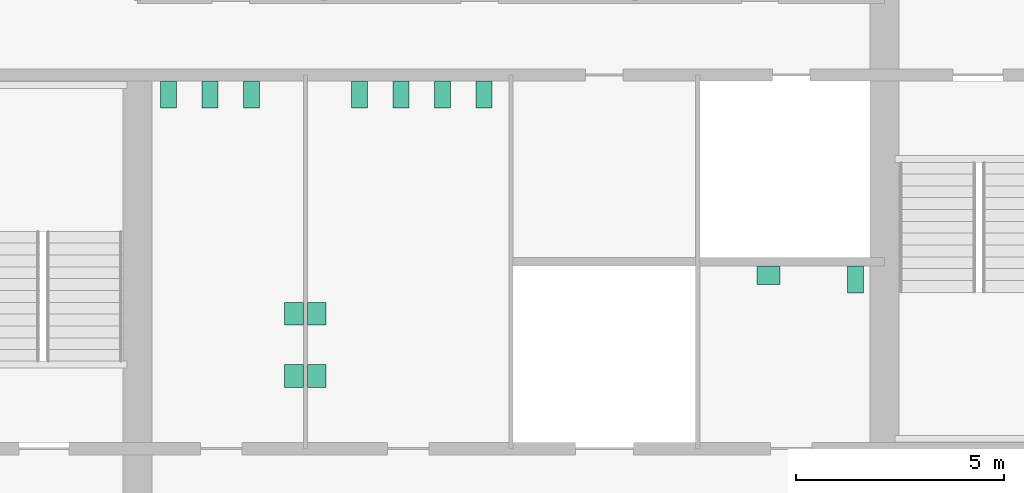
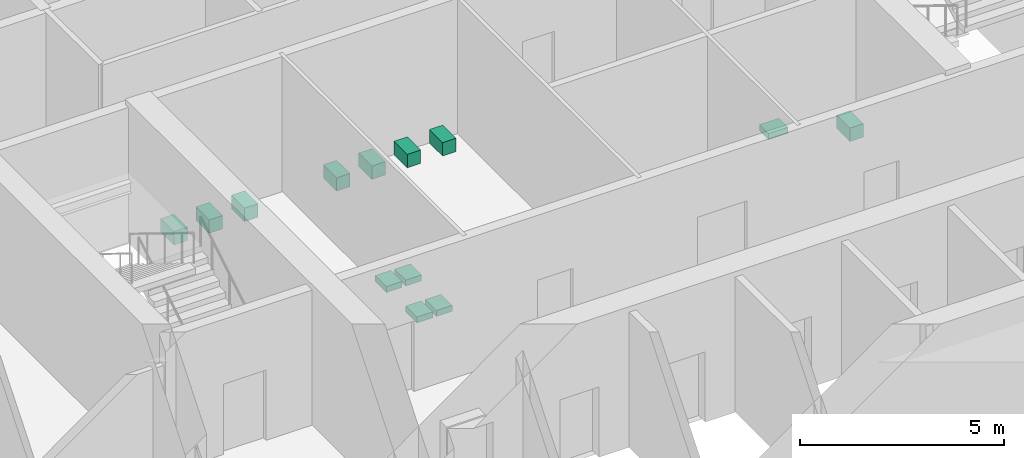
# One storey, part 12 of 12: 13 sanitary terminals.
"""IFC4 building model written with IfcOpenShell, lengths in metres."""

from ifc_helpers import new_model, si_unit, direction, frame, origin, origin_2d, place, context, subcontext, project, spatial, rectangle, extrude, material, type_object, element, save


model = new_model("IFC4")

# Units and contexts
model_context = context("Model", 3, precision=1e-05, world=origin(), true_north=direction((0.0, 1.0)))
body_context = subcontext(model_context, "Body", "Model", "MODEL_VIEW")
ifc_project = project(units=[si_unit("LENGTHUNIT", "METRE"), si_unit("AREAUNIT", "SQUARE_METRE"), si_unit("VOLUMEUNIT", "CUBIC_METRE"), si_unit("PLANEANGLEUNIT", "RADIAN"), si_unit("MASSUNIT", "GRAM", prefix="KILO")], contexts=[model_context])

# Site, building, storey
site_placement = place(None, origin())
site = spatial("IfcSite", under=ifc_project, at=site_placement, CompositionType="ELEMENT")
building_placement = place(site_placement, origin())
building = spatial("IfcBuilding", under=site, at=building_placement, Name="Corais Broadcast Tower", CompositionType="ELEMENT")
storey_placement = place(building_placement, frame((0.0, 0.0, 45.800048828125)))
storey = spatial("IfcBuildingStorey", under=building, at=storey_placement, Name="L09", CompositionType="ELEMENT", Elevation=45.800048828125)

# Sanitary terminals
ifc_material_1 = material(Name="Vitreous china", Category="ceramic")
sanitary_terminal_type_1 = type_object("IfcSanitaryTerminalType", Name="WC pan 380x650", PredefinedType="TOILETPAN", material=ifc_material_1)
for number, where, z_axis, x_axis, name in (
    (1, (18.75, 31.02490234375, 0.0), (0.0, 0.0, 1.0), (1.0, 0.0, 0.0), "SW1 WC pan, male toilets L09"),
    (2, (19.75, 31.02490234375, 0.0), (0.0, 0.0, 1.0), (1.0, 0.0, 0.0), "SW1 WC pan, male toilets L09"),
    (3, (20.75, 31.02490234375, 0.0), (0.0, 0.0, 1.0), (1.0, 0.0, 0.0), "SW1 WC pan, male toilets L09"),
    (4, (23.35009765625, 31.02490234375, 0.0), (0.0, 0.0, 1.0), (1.0, 0.0, 0.0), "SW1 WC pan, female toilets L09"),
    (5, (24.35009765625, 31.02490234375, 0.0), (0.0, 0.0, 1.0), (1.0, 0.0, 0.0), "SW1 WC pan, female toilets L09"),
    (6, (25.35009765625, 31.02490234375, 0.0), (0.0, 0.0, 1.0), (1.0, 0.0, 0.0), "SW1 WC pan, female toilets L09"),
    (7, (26.35009765625, 31.02490234375, 0.0), (0.0, 0.0, 1.0), (1.0, 0.0, 0.0), "SW1 WC pan, female toilets L09"),
    (8, (35.300048828125, 26.574951171875, 0.0), (0.0, 0.0, 1.0), (1.0, 0.0, 0.0), "SW1 WC pan, accessible WC L09"),
):
    element("IfcSanitaryTerminal", number, at=place(storey_placement, frame(where, z_axis=z_axis, x_axis=x_axis)), inside=storey, type_object=sanitary_terminal_type_1, Name=name, PredefinedType="TOILETPAN", context=body_context, shape_type="SweptSolid", body=[
        extrude(rectangle(XDim=0.3798828125, YDim=0.64990234375, at=origin_2d()), origin(), (0.0, 0.0, 1.0), 0.39990234375),
    ])
ifc_material_2 = material(Name="Vitreous china", Category="ceramic")
sanitary_terminal_type_2 = type_object("IfcSanitaryTerminalType", Name="Wash basin 550x450", PredefinedType="WASHHANDBASIN", material=ifc_material_2)
for number, where, z_axis, x_axis, name in (
    (9, (21.77490234375, 24.25, 0.7001953125), (0.0, 0.0, 1.0), (1.0, 0.0, 0.0), "WB1 wash basin, male toilets L09"),
    (10, (21.77490234375, 25.75, 0.7001953125), (0.0, 0.0, 1.0), (1.0, 0.0, 0.0), "WB1 wash basin, male toilets L09"),
    (11, (22.324951171875, 24.25, 0.7001953125), (0.0, 0.0, 1.0), (1.0, 0.0, 0.0), "WB1 wash basin, female toilets L09"),
    (12, (22.324951171875, 25.75, 0.7001953125), (0.0, 0.0, 1.0), (1.0, 0.0, 0.0), "WB1 wash basin, female toilets L09"),
):
    element("IfcSanitaryTerminal", number, at=place(storey_placement, frame(where, z_axis=z_axis, x_axis=x_axis)), inside=storey, type_object=sanitary_terminal_type_2, Name=name, PredefinedType="WASHHANDBASIN", context=body_context, shape_type="SweptSolid", body=[
        extrude(rectangle(XDim=0.449951171875, YDim=0.550048828125, at=origin_2d()), origin(), (0.0, 0.0, 1.0), 0.179931640625),
    ])
sanitary_terminal_placement = place(storey_placement, frame((33.199951171875, 26.675048828125, 0.7001953125), z_axis=(0.0, 0.0, 1.0), x_axis=(1.0, 0.0, 0.0)))
element("IfcSanitaryTerminal", 13, at=sanitary_terminal_placement, inside=storey, type_object=sanitary_terminal_type_2, Name="WB1 wash basin, accessible WC L09", PredefinedType="WASHHANDBASIN", context=body_context, shape_type="SweptSolid", body=[
    extrude(rectangle(XDim=0.550048828125, YDim=0.449951171875, at=origin_2d()), origin(), (0.0, 0.0, 1.0), 0.179931640625),
])

save(model, "model.ifc")
